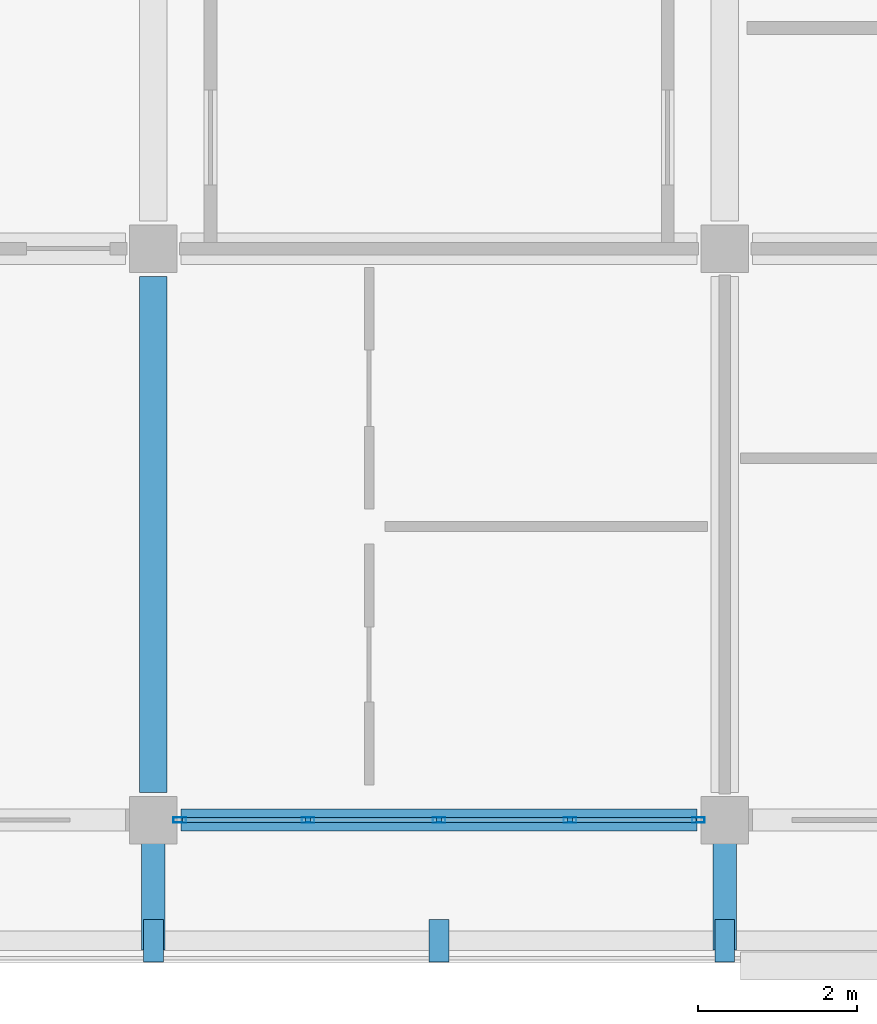
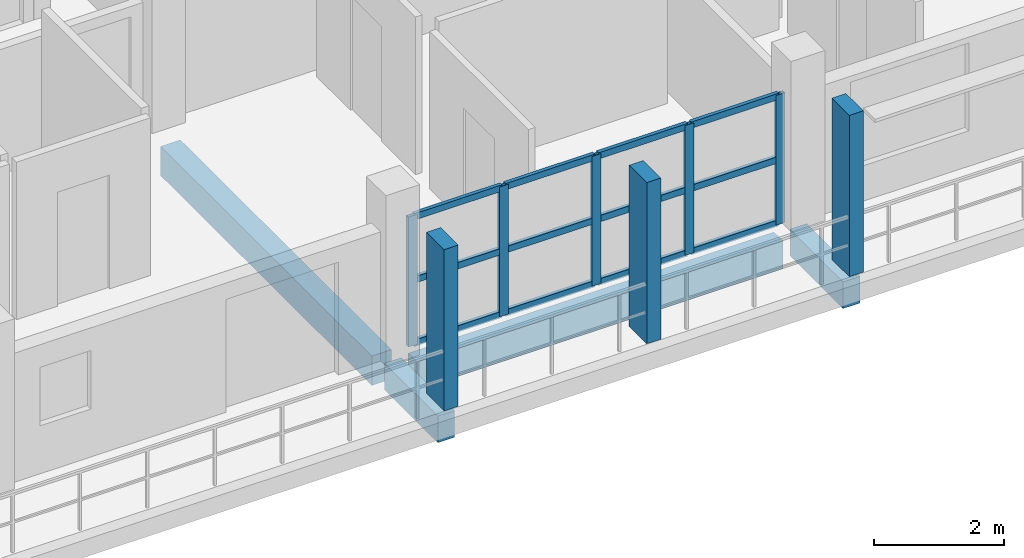
# One storey, part 77 of 157: 20 members, 4 beams, 1 element without a shape of its own.
"""IFC4 building model written with IfcOpenShell, lengths in metres."""

from ifc_helpers import new_model, si_unit, direction, frame, origin, origin_2d, place, context, subcontext, project, spatial, rectangle, hollow_rectangle, extrude, material, material_profile, profile_set, type_object, element, aggregate, save


model = new_model("IFC4")

# Units and contexts
model_context = context("Model", 3, precision=1e-05, world=origin(), true_north=direction((0.0, 1.0)))
body_context = subcontext(model_context, "Body", "Model", "MODEL_VIEW")
ifc_project = project(units=[si_unit("LENGTHUNIT", "METRE"), si_unit("AREAUNIT", "SQUARE_METRE"), si_unit("VOLUMEUNIT", "CUBIC_METRE"), si_unit("PLANEANGLEUNIT", "RADIAN"), si_unit("MASSUNIT", "GRAM", prefix="KILO")], contexts=[model_context])

# Site, building, storey
site_placement = place(None, origin())
site = spatial("IfcSite", under=ifc_project, at=site_placement, CompositionType="ELEMENT")
building_placement = place(site_placement, origin())
building = spatial("IfcBuilding", under=site, at=building_placement, Name="Suanplinth Sawtooth Commons", CompositionType="ELEMENT")
storey_placement = place(building_placement, frame((0.0, 0.0, 9.0)))
storey = spatial("IfcBuildingStorey", under=building, at=storey_placement, Name="L02", CompositionType="ELEMENT", Elevation=9.0)

# Beams
ifc_material_1 = material(Name="Precast concrete C40/50", Category="concrete")
ifc_material_profile_1 = material_profile(ifc_material_1, rectangle(XDim=0.35009765625, YDim=0.550048828125, at=origin_2d()), Name="PC-BM 350x550")
ifc_profile_set_1 = profile_set([ifc_material_profile_1], Name="Precast concrete C40/50")
beam_type_1 = type_object("IfcBeamType", Name="B-06", PredefinedType="BEAM", material=ifc_profile_set_1)
beam_1_placement = place(storey_placement, frame((144.0, 0.35009765625, -0.52490234375), z_axis=(0.0, 1.0, 0.0), x_axis=(-1.0, 0.0, 0.0)))
element("IfcBeam", 1, at=beam_1_placement, inside=storey, type_object=beam_type_1, Name="BMY-L02-C-20-0", PredefinedType="BEAM", context=body_context, shape_type="SweptSolid", body=[
    extrude(rectangle(XDim=0.35009765625, YDim=0.550048828125, at=origin_2d()), origin(), (0.0, 0.0, 1.0), 6.5),
])
ifc_material_profile_2 = material_profile(ifc_material_1, rectangle(XDim=0.300048828125, YDim=0.5, at=origin_2d()), Name="PC-BM 300x500")
ifc_profile_set_2 = profile_set([ifc_material_profile_2], Name="Precast concrete C40/50")
beam_type_2 = type_object("IfcBeamType", Name="B-07", PredefinedType="BEAM", material=ifc_profile_set_2)
for number, where, z_axis, x_axis, name in (
    (2, (144.0, 0.0, -0.429931640625), (0.0, -1.0, 0.0), (1.0, 0.0, 0.0), "Balcony Outrigger L02-C-S-20"),
    (3, (151.199951171875, 0.0, -0.429931640625), (0.0, -1.0, 0.0), (1.0, 0.0, 0.0), "Balcony Outrigger L02-C-S-21"),
):
    element("IfcBeam", number, at=place(storey_placement, frame(where, z_axis=z_axis, x_axis=x_axis)), inside=storey, type_object=beam_type_2, Name=name, PredefinedType="BEAM", context=body_context, shape_type="SweptSolid", body=[
        extrude(rectangle(XDim=0.300048828125, YDim=0.5, at=origin_2d()), origin(), (0.0, 0.0, 1.0), 1.639892578125),
    ])
ifc_material_profile_3 = material_profile(ifc_material_1, rectangle(XDim=0.280029296875, YDim=0.52001953125, at=origin_2d()), Name="PC-SP 280x520")
ifc_profile_set_3 = profile_set([ifc_material_profile_3], Name="Precast concrete C40/50")
beam_type_3 = type_object("IfcBeamType", Name="B-08", PredefinedType="SPANDREL", material=ifc_profile_set_3)
beam_2_placement = place(storey_placement, frame((144.35009765625, 0.0, -0.510009765625), z_axis=(1.0, 0.0, 0.0), x_axis=(0.0, 1.0, 0.0)))
element("IfcBeam", 4, at=beam_2_placement, inside=storey, type_object=beam_type_3, Name="BMX-L02-C-20-0", PredefinedType="SPANDREL", context=body_context, shape_type="SweptSolid", body=[
    extrude(rectangle(XDim=0.280029296875, YDim=0.52001953125, at=origin_2d()), origin(), (0.0, 0.0, 1.0), 6.5),
])

# Members
ifc_material_2 = material(Name="Pigmented precast concrete C40/50", Category="concrete")
ifc_material_profile_4 = material_profile(ifc_material_2, rectangle(XDim=0.25, YDim=0.5400390625, at=origin_2d()), Name="PC-FIN 250x540")
ifc_profile_set_4 = profile_set([ifc_material_profile_4], Name="Pigmented precast concrete C40/50")
member_type_1 = type_object("IfcMemberType", Name="M-11", PredefinedType="USERDEFINED", material=ifc_profile_set_4)
for number, where, z_axis, x_axis, name in (
    (5, (144.0, -1.52001953125, 0.0), (0.0, 0.0, 1.0), (1.0, 0.0, 0.0), "Upright Solar Blade L02-C-S-02"),
    (6, (147.60009765625, -1.52001953125, 0.0), (0.0, 0.0, 1.0), (1.0, 0.0, 0.0), "Upright Solar Blade L02-C-S-03"),
    (7, (151.199951171875, -1.52001953125, 0.0), (0.0, 0.0, 1.0), (1.0, 0.0, 0.0), "Upright Solar Blade L02-C-S-04"),
):
    element("IfcMember", number, at=place(storey_placement, frame(where, z_axis=z_axis, x_axis=x_axis)), inside=storey, type_object=member_type_1, Name=name, ObjectType="SHADING FIN", PredefinedType="USERDEFINED", context=body_context, shape_type="SweptSolid", body=[
        extrude(rectangle(XDim=0.25, YDim=0.5400390625, at=origin_2d()), origin(), (0.0, 0.0, 1.0), 3.030029296875),
    ])

# Curtain wall, members
ifc_material_3 = material(Name="Anodized aluminium and low-E glazing", Category="aluminium")
curtain_wall_type = type_object("IfcCurtainWallType", Name="CW-06", PredefinedType="USERDEFINED", material=ifc_material_3)
curtain_wall_placement = place(storey_placement, origin())
curtain_wall = element("IfcCurtainWall", 8, at=curtain_wall_placement, inside=storey, type_object=curtain_wall_type, Name="Curtain Wall CW-L02-C-LOUNGE-20", ObjectType="CURTAIN WALL", PredefinedType="USERDEFINED")
ifc_material_4 = material(Name="Anodized aluminium 6063-T6", Category="aluminium")
ifc_material_profile_5 = material_profile(ifc_material_4, hollow_rectangle(XDim=0.06494140625, YDim=0.159912109375, WallThickness=0.00390625, at=origin_2d()), Name="ALU-MUL 65x160")
ifc_profile_set_5 = profile_set([ifc_material_profile_5], Name="Anodized aluminium 6063-T6")
member_type_2 = type_object("IfcMemberType", Name="M-13", PredefinedType="MULLION", material=ifc_profile_set_5)
member_1_placement = place(storey_placement, frame((144.33251953125, 0.0, 0.0), z_axis=(0.0, 0.0, 1.0), x_axis=(0.0, 1.0, 0.0)))
member_1 = element("IfcMember", 9, at=member_1_placement, type_object=member_type_2, Name="CW-06 mullion 1", PredefinedType="MULLION", context=body_context, shape_type="SweptSolid", body=[
    extrude(hollow_rectangle(XDim=0.06494140625, YDim=0.159912109375, WallThickness=0.00390625, at=origin_2d()), origin(), (0.0, 0.0, 1.0), 2.43994140625),
])
member_2_placement = place(storey_placement, frame((145.949951171875, 0.0, 0.0), z_axis=(0.0, 0.0, 1.0), x_axis=(0.0, 1.0, 0.0)))
member_2 = element("IfcMember", 10, at=member_2_placement, type_object=member_type_2, Name="CW-06 mullion 2", PredefinedType="MULLION", context=body_context, shape_type="SweptSolid", body=[
    extrude(hollow_rectangle(XDim=0.06494140625, YDim=0.159912109375, WallThickness=0.00390625, at=origin_2d()), origin(), (0.0, 0.0, 1.0), 2.43994140625),
])
member_3_placement = place(storey_placement, frame((147.60009765625, 0.0, 0.0), z_axis=(0.0, 0.0, 1.0), x_axis=(0.0, 1.0, 0.0)))
member_3 = element("IfcMember", 11, at=member_3_placement, type_object=member_type_2, Name="CW-06 mullion 3", PredefinedType="MULLION", context=body_context, shape_type="SweptSolid", body=[
    extrude(hollow_rectangle(XDim=0.06494140625, YDim=0.159912109375, WallThickness=0.00390625, at=origin_2d()), origin(), (0.0, 0.0, 1.0), 2.43994140625),
])
member_4_placement = place(storey_placement, frame((149.25, 0.0, 0.0), z_axis=(0.0, 0.0, 1.0), x_axis=(0.0, 1.0, 0.0)))
member_4 = element("IfcMember", 12, at=member_4_placement, type_object=member_type_2, Name="CW-06 mullion 4", PredefinedType="MULLION", context=body_context, shape_type="SweptSolid", body=[
    extrude(hollow_rectangle(XDim=0.06494140625, YDim=0.159912109375, WallThickness=0.00390625, at=origin_2d()), origin(), (0.0, 0.0, 1.0), 2.43994140625),
])
member_5_placement = place(storey_placement, frame((150.867431640625, 0.0, 0.0), z_axis=(0.0, 0.0, 1.0), x_axis=(0.0, 1.0, 0.0)))
member_5 = element("IfcMember", 13, at=member_5_placement, type_object=member_type_2, Name="CW-06 mullion 5", PredefinedType="MULLION", context=body_context, shape_type="SweptSolid", body=[
    extrude(hollow_rectangle(XDim=0.06494140625, YDim=0.159912109375, WallThickness=0.00390625, at=origin_2d()), origin(), (0.0, 0.0, 1.0), 2.43994140625),
])
ifc_material_profile_6 = material_profile(ifc_material_4, hollow_rectangle(XDim=0.06494140625, YDim=0.1201171875, WallThickness=0.00390625, at=origin_2d()), Name="ALU-TRN 65x120")
ifc_profile_set_6 = profile_set([ifc_material_profile_6], Name="Anodized aluminium 6063-T6")
member_type_3 = type_object("IfcMemberType", Name="M-15", PredefinedType="USERDEFINED", material=ifc_profile_set_6)
member_6_placement = place(storey_placement, frame((144.364990234375, 0.0, 0.032470703125), z_axis=(1.0, 0.0, 0.0), x_axis=(0.0, 1.0, 0.0)))
member_6 = element("IfcMember", 14, at=member_6_placement, type_object=member_type_3, Name="CW-06 transom 1.1", ObjectType="TRANSOM", PredefinedType="USERDEFINED", context=body_context, shape_type="SweptSolid", body=[
    extrude(hollow_rectangle(XDim=0.06494140625, YDim=0.1201171875, WallThickness=0.00390625, at=origin_2d()), origin(), (0.0, 0.0, 1.0), 1.552490234375),
])
member_7_placement = place(storey_placement, frame((144.364990234375, 0.0, 1.219970703125), z_axis=(1.0, 0.0, 0.0), x_axis=(0.0, 1.0, 0.0)))
member_7 = element("IfcMember", 15, at=member_7_placement, type_object=member_type_3, Name="CW-06 transom 1.2", ObjectType="TRANSOM", PredefinedType="USERDEFINED", context=body_context, shape_type="SweptSolid", body=[
    extrude(hollow_rectangle(XDim=0.06494140625, YDim=0.1201171875, WallThickness=0.00390625, at=origin_2d()), origin(), (0.0, 0.0, 1.0), 1.552490234375),
])
member_8_placement = place(storey_placement, frame((144.364990234375, 0.0, 2.407470703125), z_axis=(1.0, 0.0, 0.0), x_axis=(0.0, 1.0, 0.0)))
member_8 = element("IfcMember", 16, at=member_8_placement, type_object=member_type_3, Name="CW-06 transom 1.3", ObjectType="TRANSOM", PredefinedType="USERDEFINED", context=body_context, shape_type="SweptSolid", body=[
    extrude(hollow_rectangle(XDim=0.06494140625, YDim=0.1201171875, WallThickness=0.00390625, at=origin_2d()), origin(), (0.0, 0.0, 1.0), 1.552490234375),
])
member_9_placement = place(storey_placement, frame((145.982421875, 0.0, 0.032470703125), z_axis=(1.0, 0.0, 0.0), x_axis=(0.0, 1.0, 0.0)))
member_9 = element("IfcMember", 17, at=member_9_placement, type_object=member_type_3, Name="CW-06 transom 2.1", ObjectType="TRANSOM", PredefinedType="USERDEFINED", context=body_context, shape_type="SweptSolid", body=[
    extrude(hollow_rectangle(XDim=0.06494140625, YDim=0.1201171875, WallThickness=0.00390625, at=origin_2d()), origin(), (0.0, 0.0, 1.0), 1.5849609375),
])
member_10_placement = place(storey_placement, frame((145.982421875, 0.0, 1.219970703125), z_axis=(1.0, 0.0, 0.0), x_axis=(0.0, 1.0, 0.0)))
member_10 = element("IfcMember", 18, at=member_10_placement, type_object=member_type_3, Name="CW-06 transom 2.2", ObjectType="TRANSOM", PredefinedType="USERDEFINED", context=body_context, shape_type="SweptSolid", body=[
    extrude(hollow_rectangle(XDim=0.06494140625, YDim=0.1201171875, WallThickness=0.00390625, at=origin_2d()), origin(), (0.0, 0.0, 1.0), 1.5849609375),
])
member_11_placement = place(storey_placement, frame((145.982421875, 0.0, 2.407470703125), z_axis=(1.0, 0.0, 0.0), x_axis=(0.0, 1.0, 0.0)))
member_11 = element("IfcMember", 19, at=member_11_placement, type_object=member_type_3, Name="CW-06 transom 2.3", ObjectType="TRANSOM", PredefinedType="USERDEFINED", context=body_context, shape_type="SweptSolid", body=[
    extrude(hollow_rectangle(XDim=0.06494140625, YDim=0.1201171875, WallThickness=0.00390625, at=origin_2d()), origin(), (0.0, 0.0, 1.0), 1.5849609375),
])
member_12_placement = place(storey_placement, frame((147.632568359375, 0.0, 0.032470703125), z_axis=(1.0, 0.0, 0.0), x_axis=(0.0, 1.0, 0.0)))
member_12 = element("IfcMember", 20, at=member_12_placement, type_object=member_type_3, Name="CW-06 transom 3.1", ObjectType="TRANSOM", PredefinedType="USERDEFINED", context=body_context, shape_type="SweptSolid", body=[
    extrude(hollow_rectangle(XDim=0.06494140625, YDim=0.1201171875, WallThickness=0.00390625, at=origin_2d()), origin(), (0.0, 0.0, 1.0), 1.5849609375),
])
member_13_placement = place(storey_placement, frame((147.632568359375, 0.0, 1.219970703125), z_axis=(1.0, 0.0, 0.0), x_axis=(0.0, 1.0, 0.0)))
member_13 = element("IfcMember", 21, at=member_13_placement, type_object=member_type_3, Name="CW-06 transom 3.2", ObjectType="TRANSOM", PredefinedType="USERDEFINED", context=body_context, shape_type="SweptSolid", body=[
    extrude(hollow_rectangle(XDim=0.06494140625, YDim=0.1201171875, WallThickness=0.00390625, at=origin_2d()), origin(), (0.0, 0.0, 1.0), 1.5849609375),
])
member_14_placement = place(storey_placement, frame((147.632568359375, 0.0, 2.407470703125), z_axis=(1.0, 0.0, 0.0), x_axis=(0.0, 1.0, 0.0)))
member_14 = element("IfcMember", 22, at=member_14_placement, type_object=member_type_3, Name="CW-06 transom 3.3", ObjectType="TRANSOM", PredefinedType="USERDEFINED", context=body_context, shape_type="SweptSolid", body=[
    extrude(hollow_rectangle(XDim=0.06494140625, YDim=0.1201171875, WallThickness=0.00390625, at=origin_2d()), origin(), (0.0, 0.0, 1.0), 1.5849609375),
])
member_15_placement = place(storey_placement, frame((149.282470703125, 0.0, 0.032470703125), z_axis=(1.0, 0.0, 0.0), x_axis=(0.0, 1.0, 0.0)))
member_15 = element("IfcMember", 23, at=member_15_placement, type_object=member_type_3, Name="CW-06 transom 4.1", ObjectType="TRANSOM", PredefinedType="USERDEFINED", context=body_context, shape_type="SweptSolid", body=[
    extrude(hollow_rectangle(XDim=0.06494140625, YDim=0.1201171875, WallThickness=0.00390625, at=origin_2d()), origin(), (0.0, 0.0, 1.0), 1.552490234375),
])
member_16_placement = place(storey_placement, frame((149.282470703125, 0.0, 1.219970703125), z_axis=(1.0, 0.0, 0.0), x_axis=(0.0, 1.0, 0.0)))
member_16 = element("IfcMember", 24, at=member_16_placement, type_object=member_type_3, Name="CW-06 transom 4.2", ObjectType="TRANSOM", PredefinedType="USERDEFINED", context=body_context, shape_type="SweptSolid", body=[
    extrude(hollow_rectangle(XDim=0.06494140625, YDim=0.1201171875, WallThickness=0.00390625, at=origin_2d()), origin(), (0.0, 0.0, 1.0), 1.552490234375),
])
member_17_placement = place(storey_placement, frame((149.282470703125, 0.0, 2.407470703125), z_axis=(1.0, 0.0, 0.0), x_axis=(0.0, 1.0, 0.0)))
member_17 = element("IfcMember", 25, at=member_17_placement, type_object=member_type_3, Name="CW-06 transom 4.3", ObjectType="TRANSOM", PredefinedType="USERDEFINED", context=body_context, shape_type="SweptSolid", body=[
    extrude(hollow_rectangle(XDim=0.06494140625, YDim=0.1201171875, WallThickness=0.00390625, at=origin_2d()), origin(), (0.0, 0.0, 1.0), 1.552490234375),
])
aggregate(curtain_wall, [member_1, member_2, member_3, member_4, member_5, member_6, member_7, member_8, member_9, member_10, member_11, member_12, member_13, member_14, member_15, member_16, member_17])

save(model, "model.ifc")
